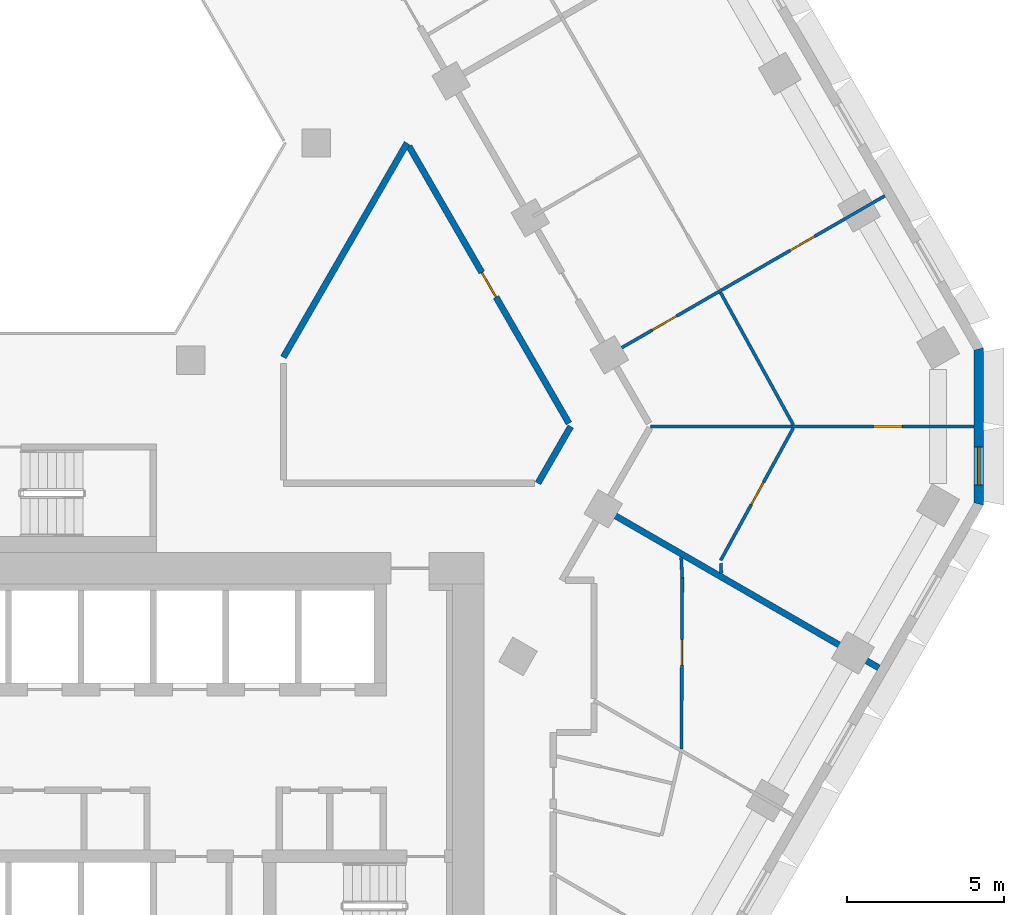
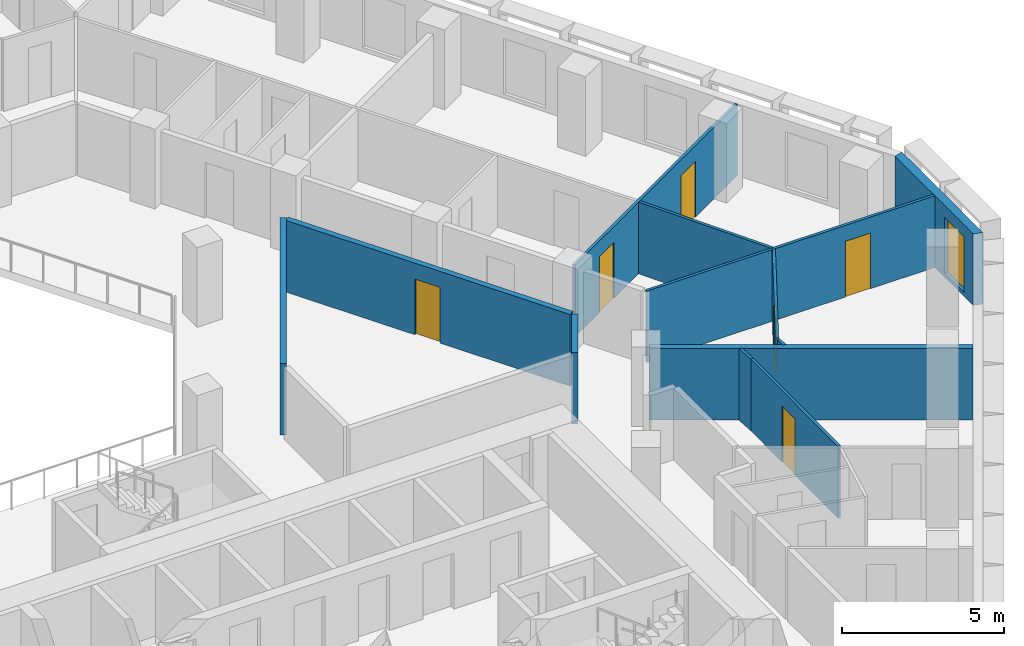
# One storey, part 7 of 16: 12 walls, 6 doors, 1 window, 7 openings.
"""IFC4 building model written with IfcOpenShell, lengths in metres."""

from ifc_helpers import new_model, si_unit, direction, frame, frame_2d, origin, place, context, subcontext, project, spatial, polyline, rectangle, outline, extrude, material, layer, layer_set, type_object, element, fill, save


model = new_model("IFC4")

# Units and contexts
model_context = context("Model", 3, precision=1e-05, world=origin(), true_north=direction((0.0, 1.0)))
body_context = subcontext(model_context, "Body", "Model", "MODEL_VIEW")
ifc_project = project(units=[si_unit("LENGTHUNIT", "METRE"), si_unit("AREAUNIT", "SQUARE_METRE"), si_unit("VOLUMEUNIT", "CUBIC_METRE"), si_unit("PLANEANGLEUNIT", "RADIAN"), si_unit("MASSUNIT", "GRAM", prefix="KILO")], contexts=[model_context])

# Site, building, storey
site_placement = place(None, origin())
site = spatial("IfcSite", under=ifc_project, at=site_placement, CompositionType="ELEMENT")
building_placement = place(site_placement, origin())
building = spatial("IfcBuilding", under=site, at=building_placement, Name="Beryl Residences", CompositionType="ELEMENT")
storey_placement = place(building_placement, frame((0.0, 0.0, 96.0)))
storey = spatial("IfcBuildingStorey", under=building, at=storey_placement, Name="L29", CompositionType="ELEMENT", Elevation=96.0)

# Wall, opening, window
ifc_material_1 = material(Name="Composite metal panel with mineral wool insulation")
ifc_layer_1 = layer(ifc_material_1, 0.300048828125)
ifc_layer_set_1 = layer_set([ifc_layer_1], Name="ES1 pale metal composite panel wall 300 mm")
wall_type_1 = type_object("IfcWallType", Name="ES1 pale metal composite panel wall 300 mm", PredefinedType="SOLIDWALL", material=ifc_layer_set_1)
wall_1_placement = place(storey_placement, frame((29.007080078125, -3.5, 0.0), z_axis=(0.0, 0.0, 1.0), x_axis=(0.0, 1.0, 0.0)))
wall_1 = element("IfcWall", 1, at=wall_1_placement, inside=storey, type_object=wall_type_1, Name="ES1 external wall L29 SE-NE", PredefinedType="SOLIDWALL", context=body_context, shape_type="SweptSolid", body=[
    extrude(outline(polyline([(0.0, -0.14990234375), (5.0, -0.14990234375), (4.919677734375, 0.14990234375), (0.080322265625, 0.14990234375), (0.0, -0.14990234375)])), origin(), (0.0, 0.0, 1.0), 2.699951171875),
])
opening_1_placement = place(wall_1_placement, frame((0.64990234375, 0.0, 0.14990234375)))
opening_1 = element("IfcOpeningElement", 2, at=opening_1_placement, cuts=wall_1, Name="Opening W2", PredefinedType="OPENING", context=body_context, shape_type="SweptSolid", body=[
    extrude(rectangle(XDim=1.199951171875, YDim=2.10009765625, at=frame_2d((0.60009765625, 1.050048828125))), frame((0.0, 0.159912109375, 0.0), z_axis=(0.0, -1.0, 0.0), x_axis=(1.0, 0.0, 0.0)), (0.0, 0.0, 1.0), 0.320068359375),
])
ifc_material_2 = material(Name="Aluminium and clear glass", Category="aluminium")
window_type = type_object("IfcWindowType", Name="W2 chamfer window 1200 x 2100 mm", PartitioningType="SINGLE_PANEL", PredefinedType="WINDOW", material=ifc_material_2)
window_placement = place(opening_1_placement, origin())
window = element("IfcWindow", 3, at=window_placement, inside=storey, type_object=window_type, Name="W2 window L29 SE-NE 1", OverallHeight=2.10009765625, OverallWidth=1.199951171875, PartitioningType="SINGLE_PANEL", PredefinedType="WINDOW", context=body_context, shape_type="SweptSolid", body=[
    extrude(rectangle(XDim=1.199951171875, YDim=2.10009765625, at=frame_2d((0.60009765625, 1.050048828125))), frame((0.0, 0.030029296875, 0.0), z_axis=(0.0, -1.0, 0.0), x_axis=(1.0, 0.0, 0.0)), (0.0, 0.0, 1.0), 0.06005859375),
])
fill(opening_1, window)

# Walls
ifc_material_3 = material(Name="Gypsum board partition on steel studs", Category="steel")
ifc_layer_2 = layer(ifc_material_3, 0.10009765625)
ifc_layer_set_2 = layer_set([ifc_layer_2], Name="PT1 partition 100 mm gypsum board on steel studs")
wall_type_2 = type_object("IfcWallType", Name="PT1 partition 100 mm gypsum board on steel studs", PredefinedType="PARTITIONING", material=ifc_layer_set_2)
wall_2_placement = place(storey_placement, frame((20.806884765625, 3.2548828125, 0.0), z_axis=(0.0, 0.0, 1.0), x_axis=(0.481604009855, -0.876388942018, 0.0)))
element("IfcWall", 4, at=wall_2_placement, inside=storey, type_object=wall_type_2, Name="Wall PT1 L29 004", PredefinedType="PARTITIONING", context=body_context, shape_type="SweptSolid", body=[
    extrude(rectangle(XDim=4.794677734375, YDim=0.10009765625, at=frame_2d((2.3974609375, 0.0))), origin(), (0.0, 0.0, 1.0), 2.699951171875),
])
wall_3_placement = place(storey_placement, frame((19.55810546875, -5.156005859375, 0.0), z_axis=(0.0, 0.0, 1.0), x_axis=(0.04980880462, -0.998758771167, 0.0)))
element("IfcWall", 5, at=wall_3_placement, inside=storey, type_object=wall_type_2, Name="Wall PT1 L29 008", PredefinedType="PARTITIONING", context=body_context, shape_type="SweptSolid", body=[
    extrude(rectangle(XDim=0.66162109375, YDim=0.10009765625, at=frame_2d((0.330810546875, 0.0))), origin(), (0.0, 0.0, 1.0), 2.699951171875),
])
wall_4_placement = place(storey_placement, frame((20.81591796875, -5.343017578125, 0.0), z_axis=(0.0, 0.0, 1.0), x_axis=(0.050626241319, -0.998717669659, 0.0)))
element("IfcWall", 6, at=wall_4_placement, inside=storey, type_object=wall_type_2, Name="Wall PT1 L29 009", PredefinedType="PARTITIONING", context=body_context, shape_type="SweptSolid", body=[
    extrude(rectangle(XDim=0.318359375, YDim=0.10009765625, at=frame_2d((0.1591796875, 0.0))), origin(), (0.0, 0.0, 1.0), 2.699951171875),
])

# Wall, opening, door
wall_5_placement = place(storey_placement, frame((18.591064453125, -0.9990234375, 0.0), z_axis=(0.0, 0.0, 1.0), x_axis=(1.0, 0.0, 0.0)))
wall_5 = element("IfcWall", 7, at=wall_5_placement, inside=storey, type_object=wall_type_2, Name="Wall PT1 L29 027", PredefinedType="PARTITIONING", context=body_context, shape_type="SweptSolid", body=[
    extrude(rectangle(XDim=10.265869140625, YDim=0.10009765625, at=frame_2d((5.1328125, 0.0))), origin(), (0.0, 0.0, 1.0), 2.699951171875),
])
opening_2_placement = place(wall_5_placement, frame((7.0791015625, 0.0, 0.0)))
opening_2 = element("IfcOpeningElement", 8, at=opening_2_placement, cuts=wall_5, Name="Opening D0921", PredefinedType="OPENING", context=body_context, shape_type="SweptSolid", body=[
    extrude(rectangle(XDim=0.89990234375, YDim=2.10009765625, at=frame_2d((0.449951171875, 1.050048828125))), frame((0.0, 0.06005859375, 0.0), z_axis=(0.0, -1.0, 0.0), x_axis=(1.0, 0.0, 0.0)), (0.0, 0.0, 1.0), 0.1201171875),
])
ifc_material_4 = material(Name="Timber door leaf", Category="wood")
door_type_1 = type_object("IfcDoorType", Name="D2 room door 900 x 2100 mm", OperationType="SINGLE_SWING_LEFT", PredefinedType="DOOR", material=ifc_material_4)
door_1_placement = place(opening_2_placement, origin())
door_1 = element("IfcDoor", 9, at=door_1_placement, inside=storey, type_object=door_type_1, Name="Door D0921 L29 001", OperationType="SINGLE_SWING_LEFT", OverallHeight=2.10009765625, OverallWidth=0.89990234375, PredefinedType="DOOR", context=body_context, shape_type="SweptSolid", body=[
    extrude(rectangle(XDim=0.89990234375, YDim=2.10009765625, at=frame_2d((0.449951171875, 1.050048828125))), frame((0.0, 0.02490234375, 0.0), z_axis=(0.0, -1.0, 0.0), x_axis=(1.0, 0.0, 0.0)), (0.0, 0.0, 1.0), 0.050048828125),
])
fill(opening_2, door_1)

wall_6_placement = place(storey_placement, frame((20.81201171875, -5.248046875, 0.0), z_axis=(0.0, 0.0, 1.0), x_axis=(0.481196609449, 0.876612698434, 0.0)))
wall_6 = element("IfcWall", 10, at=wall_6_placement, inside=storey, type_object=wall_type_2, Name="Wall PT1 L29 040", PredefinedType="PARTITIONING", context=body_context, shape_type="SweptSolid", body=[
    extrude(rectangle(XDim=4.7900390625, YDim=0.10009765625, at=frame_2d((2.39501953125, 0.0))), origin(), (0.0, 0.0, 1.0), 2.699951171875),
])
opening_3_placement = place(wall_6_placement, frame((2.02294921875, 0.0, 0.0)))
opening_3 = element("IfcOpeningElement", 11, at=opening_3_placement, cuts=wall_6, Name="Opening D0922", PredefinedType="OPENING", context=body_context, shape_type="SweptSolid", body=[
    extrude(rectangle(XDim=0.800048828125, YDim=2.10009765625, at=frame_2d((0.39990234375, 1.050048828125))), frame((0.0, 0.06005859375, 0.0), z_axis=(0.0, -1.0, 0.0), x_axis=(1.0, 0.0, 0.0)), (0.0, 0.0, 1.0), 0.1201171875),
])
ifc_material_5 = material(Name="Timber door leaf", Category="wood")
door_type_2 = type_object("IfcDoorType", Name="D3 bathroom door 800 x 2100 mm", OperationType="SINGLE_SWING_LEFT", PredefinedType="DOOR", material=ifc_material_5)
door_2_placement = place(opening_3_placement, origin())
door_2 = element("IfcDoor", 12, at=door_2_placement, inside=storey, type_object=door_type_2, Name="Door D0922 L29 001", OperationType="SINGLE_SWING_RIGHT", OverallHeight=2.10009765625, OverallWidth=0.800048828125, PredefinedType="DOOR", context=body_context, shape_type="SweptSolid", body=[
    extrude(rectangle(XDim=0.800048828125, YDim=2.10009765625, at=frame_2d((0.39990234375, 1.050048828125))), frame((0.0, 0.02490234375, 0.0), z_axis=(0.0, -1.0, 0.0), x_axis=(1.0, 0.0, 0.0)), (0.0, 0.0, 1.0), 0.050048828125),
])
fill(opening_3, door_2)

wall_7_placement = place(storey_placement, frame((19.56591796875, -11.238037109375, 0.0), z_axis=(0.0, 0.0, 1.0), x_axis=(0.004638545009, 0.999989241892, 0.0)))
wall_7 = element("IfcWall", 13, at=wall_7_placement, inside=storey, type_object=wall_type_2, Name="Wall PT1 L29 046", PredefinedType="PARTITIONING", context=body_context, shape_type="SweptSolid", body=[
    extrude(rectangle(XDim=5.421142578125, YDim=0.10009765625, at=frame_2d((2.71044921875, 0.0))), origin(), (0.0, 0.0, 1.0), 2.699951171875),
])
opening_4_placement = place(wall_7_placement, frame((2.672119140625, 0.0, 0.0)))
opening_4 = element("IfcOpeningElement", 14, at=opening_4_placement, cuts=wall_7, Name="Opening D0915", PredefinedType="OPENING", context=body_context, shape_type="SweptSolid", body=[
    extrude(rectangle(XDim=0.800048828125, YDim=2.10009765625, at=frame_2d((0.39990234375, 1.050048828125))), frame((0.0, 0.06005859375, 0.0), z_axis=(0.0, -1.0, 0.0), x_axis=(1.0, 0.0, 0.0)), (0.0, 0.0, 1.0), 0.1201171875),
])
door_3_placement = place(opening_4_placement, origin())
door_3 = element("IfcDoor", 15, at=door_3_placement, inside=storey, type_object=door_type_2, Name="Door D0915 L29 001", OperationType="SINGLE_SWING_LEFT", OverallHeight=2.10009765625, OverallWidth=0.800048828125, PredefinedType="DOOR", context=body_context, shape_type="SweptSolid", body=[
    extrude(rectangle(XDim=0.800048828125, YDim=2.10009765625, at=frame_2d((0.39990234375, 1.050048828125))), frame((0.0, 0.02490234375, 0.0), z_axis=(0.0, -1.0, 0.0), x_axis=(1.0, 0.0, 0.0)), (0.0, 0.0, 1.0), 0.050048828125),
])
fill(opening_4, door_3)

# Wall, openings, doors
wall_8_placement = place(storey_placement, frame((17.364990234375, 1.324951171875, 0.0), z_axis=(0.0, 0.0, 1.0), x_axis=(0.866016855193, 0.500014806302, 0.0)))
wall_8 = element("IfcWall", 16, at=wall_8_placement, inside=storey, type_object=wall_type_2, Name="Wall PT1 L29 060", PredefinedType="PARTITIONING", context=body_context, shape_type="SweptSolid", body=[
    extrude(rectangle(XDim=9.999755859375, YDim=0.10009765625, at=frame_2d((5.0, 0.0))), origin(), (0.0, 0.0, 1.0), 2.699951171875),
])
opening_5_placement = place(wall_8_placement, frame((1.47412109375, 0.0, 0.0)))
opening_5 = element("IfcOpeningElement", 17, at=opening_5_placement, cuts=wall_8, Name="Opening D0919", PredefinedType="OPENING", context=body_context, shape_type="SweptSolid", body=[
    extrude(rectangle(XDim=0.89990234375, YDim=2.10009765625, at=frame_2d((0.449951171875, 1.050048828125))), frame((0.0, 0.06005859375, 0.0), z_axis=(0.0, -1.0, 0.0), x_axis=(1.0, 0.0, 0.0)), (0.0, 0.0, 1.0), 0.1201171875),
])
opening_6_placement = place(wall_8_placement, frame((6.52392578125, 0.0, 0.0)))
opening_6 = element("IfcOpeningElement", 18, at=opening_6_placement, cuts=wall_8, Name="Opening D0920", PredefinedType="OPENING", context=body_context, shape_type="SweptSolid", body=[
    extrude(rectangle(XDim=0.89990234375, YDim=2.10009765625, at=frame_2d((0.449951171875, 1.050048828125))), frame((0.0, 0.06005859375, 0.0), z_axis=(0.0, -1.0, 0.0), x_axis=(1.0, 0.0, 0.0)), (0.0, 0.0, 1.0), 0.1201171875),
])
door_4_placement = place(opening_5_placement, origin())
door_4 = element("IfcDoor", 19, at=door_4_placement, inside=storey, type_object=door_type_1, Name="Door D0919 L29 001", OperationType="SINGLE_SWING_LEFT", OverallHeight=2.10009765625, OverallWidth=0.89990234375, PredefinedType="DOOR", context=body_context, shape_type="SweptSolid", body=[
    extrude(rectangle(XDim=0.89990234375, YDim=2.10009765625, at=frame_2d((0.449951171875, 1.050048828125))), frame((0.0, 0.02490234375, 0.0), z_axis=(0.0, -1.0, 0.0), x_axis=(1.0, 0.0, 0.0)), (0.0, 0.0, 1.0), 0.050048828125),
])
fill(opening_5, door_4)
door_5_placement = place(opening_6_placement, origin())
door_5 = element("IfcDoor", 20, at=door_5_placement, inside=storey, type_object=door_type_1, Name="Door D0920 L29 001", OperationType="SINGLE_SWING_RIGHT", OverallHeight=2.10009765625, OverallWidth=0.89990234375, PredefinedType="DOOR", context=body_context, shape_type="SweptSolid", body=[
    extrude(rectangle(XDim=0.89990234375, YDim=2.10009765625, at=frame_2d((0.449951171875, 1.050048828125))), frame((0.0, 0.02490234375, 0.0), z_axis=(0.0, -1.0, 0.0), x_axis=(1.0, 0.0, 0.0)), (0.0, 0.0, 1.0), 0.050048828125),
])
fill(opening_6, door_5)

# Wall
ifc_material_6 = material(Name="Acoustic double stud gypsum board wall")
ifc_layer_3 = layer(ifc_material_6, 0.199951171875)
ifc_layer_set_3 = layer_set([ifc_layer_3], Name="PT3 party wall 200 mm acoustic double stud")
wall_type_3 = type_object("IfcWallType", Name="PT3 party wall 200 mm acoustic double stud", PredefinedType="PARTITIONING", material=ifc_layer_set_3)
wall_9_placement = place(storey_placement, frame((17.1689453125, -3.662109375, 0.0), z_axis=(0.0, 0.0, 1.0), x_axis=(0.866047370643, -0.499961950354, 0.0)))
element("IfcWall", 21, at=wall_9_placement, inside=storey, type_object=wall_type_3, Name="Wall PT3 L29 004", PredefinedType="PARTITIONING", context=body_context, shape_type="SweptSolid", body=[
    extrude(rectangle(XDim=10.000732421875, YDim=0.199951171875, at=frame_2d((5.00048828125, 0.0))), origin(), (0.0, 0.0, 1.0), 2.699951171875),
])

# Wall, opening, door
ifc_material_7 = material(Name="Double stud gypsum board wall")
ifc_layer_4 = layer(ifc_material_7, 0.199951171875)
ifc_layer_set_4 = layer_set([ifc_layer_4], Name="PT4 corridor wall 200 mm double stud")
wall_type_4 = type_object("IfcWallType", Name="PT4 corridor wall 200 mm double stud", PredefinedType="PARTITIONING", material=ifc_layer_set_4)
wall_10_placement = place(storey_placement, frame((10.9130859375, 7.89892578125, 0.0), z_axis=(0.0, 0.0, 1.0), x_axis=(0.500028940566, -0.866008694296, 0.0)))
wall_10 = element("IfcWall", 22, at=wall_10_placement, inside=storey, type_object=wall_type_4, Name="Wall PT4 L29 005", PredefinedType="PARTITIONING", context=body_context, shape_type="SweptSolid", body=[
    extrude(rectangle(XDim=10.1591796875, YDim=0.199951171875, at=frame_2d((5.07958984375, 0.0))), origin(), (0.0, 0.0, 1.0), 2.699951171875),
])
opening_7_placement = place(wall_10_placement, frame((4.6298828125, 0.0, 0.0)))
opening_7 = element("IfcOpeningElement", 23, at=opening_7_placement, cuts=wall_10, Name="Opening D0963", PredefinedType="OPENING", context=body_context, shape_type="SweptSolid", body=[
    extrude(rectangle(XDim=0.89990234375, YDim=2.10009765625, at=frame_2d((0.449951171875, 1.050048828125))), frame((0.0, 0.10986328125, 0.0), z_axis=(0.0, -1.0, 0.0), x_axis=(1.0, 0.0, 0.0)), (0.0, 0.0, 1.0), 0.219970703125),
])
door_6_placement = place(opening_7_placement, origin())
door_6 = element("IfcDoor", 24, at=door_6_placement, inside=storey, type_object=door_type_1, Name="Door D0963 L29 001", OperationType="SINGLE_SWING_LEFT", OverallHeight=2.10009765625, OverallWidth=0.89990234375, PredefinedType="DOOR", context=body_context, shape_type="SweptSolid", body=[
    extrude(rectangle(XDim=0.89990234375, YDim=2.10009765625, at=frame_2d((0.449951171875, 1.050048828125))), frame((0.0, 0.02490234375, 0.0), z_axis=(0.0, -1.0, 0.0), x_axis=(1.0, 0.0, 0.0)), (0.0, 0.0, 1.0), 0.050048828125),
])
fill(opening_7, door_6)

# Walls
wall_11_placement = place(storey_placement, frame((6.927978515625, 1.199951171875, 0.0), z_axis=(0.0, 0.0, 1.0), x_axis=(0.500055327065, 0.865993458332, 0.0)))
element("IfcWall", 25, at=wall_11_placement, inside=storey, type_object=wall_type_4, Name="Wall PT4 L29 023", PredefinedType="PARTITIONING", context=body_context, shape_type="SweptSolid", body=[
    extrude(rectangle(XDim=7.85107421875, YDim=0.199951171875, at=frame_2d((3.925537109375, 0.0))), origin(), (0.0, 0.0, 1.0), 2.699951171875),
])
wall_12_placement = place(storey_placement, frame((15.010986328125, -2.800048828125, 0.0), z_axis=(0.0, 0.0, 1.0), x_axis=(0.499929208183, 0.866066271601, 0.0)))
element("IfcWall", 26, at=wall_12_placement, inside=storey, type_object=wall_type_4, Name="Wall PT4 L29 024", PredefinedType="PARTITIONING", context=body_context, shape_type="SweptSolid", body=[
    extrude(rectangle(XDim=2.078369140625, YDim=0.199951171875, at=frame_2d((1.0390625, 0.0))), origin(), (0.0, 0.0, 1.0), 2.699951171875),
])

save(model, "model.ifc")
